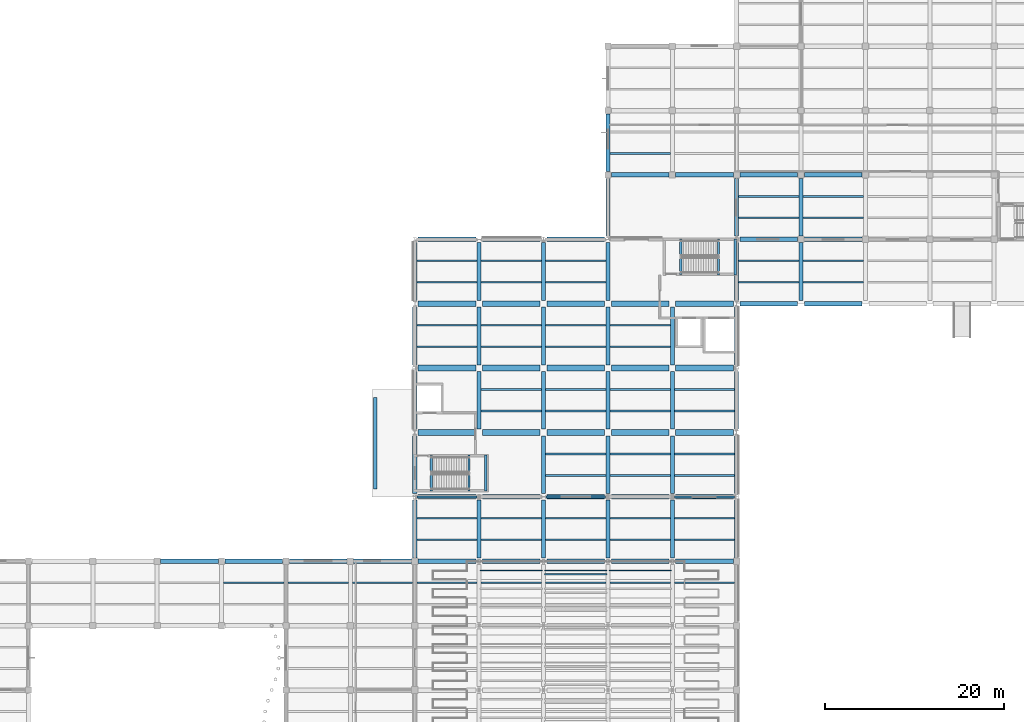
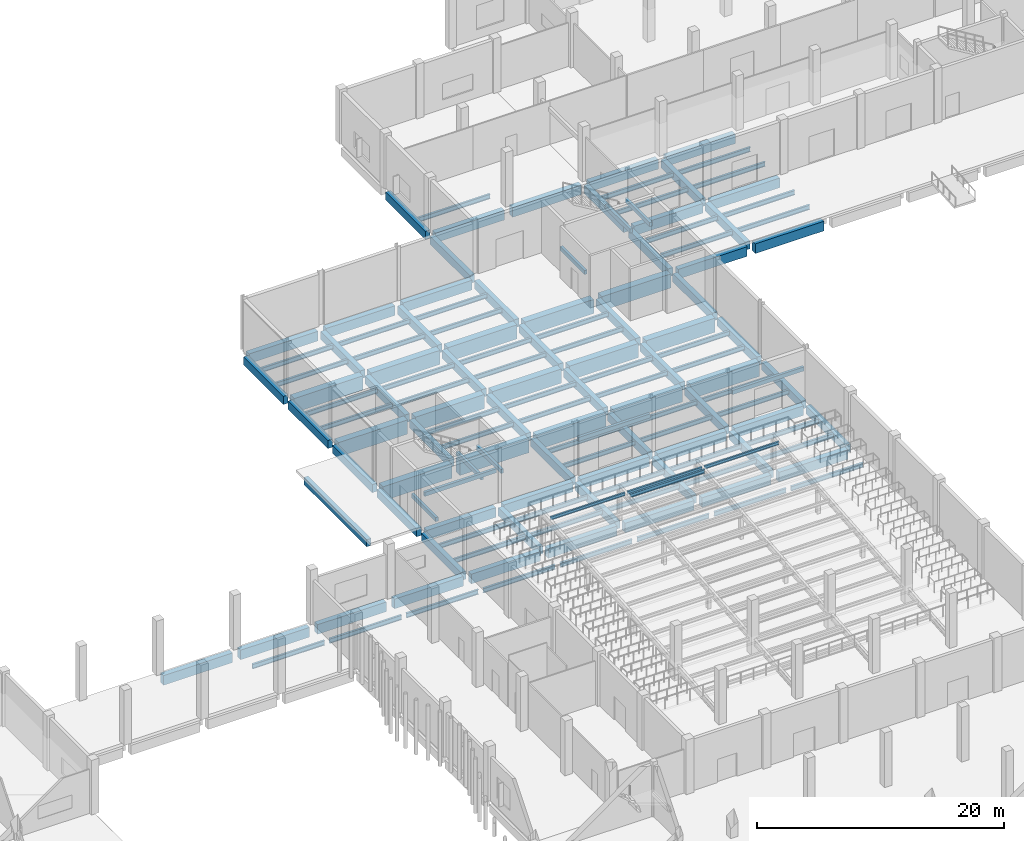
# One storey, part 18 of 46: 142 beams.
"""IFC4 building model written with IfcOpenShell, lengths in metres."""

from ifc_helpers import new_model, si_unit, direction, frame, origin, origin_2d, place, context, subcontext, project, spatial, rectangle, i_section, extrude, material, material_profile, profile_set, type_object, element, save


model = new_model("IFC4")

# Units and contexts
model_context = context("Model", 3, precision=1e-05, world=origin(), true_north=direction((0.0, 1.0)))
body_context = subcontext(model_context, "Body", "Model", "MODEL_VIEW")
ifc_project = project(units=[si_unit("LENGTHUNIT", "METRE"), si_unit("AREAUNIT", "SQUARE_METRE"), si_unit("VOLUMEUNIT", "CUBIC_METRE"), si_unit("PLANEANGLEUNIT", "RADIAN"), si_unit("MASSUNIT", "GRAM", prefix="KILO"), si_unit("THERMODYNAMICTEMPERATUREUNIT", "KELVIN"), si_unit("POWERUNIT", "WATT")], contexts=[model_context])

# Site, building, storey
site_placement = place(None, origin())
site = spatial("IfcSite", under=ifc_project, at=site_placement, CompositionType="ELEMENT")
building_placement = place(site_placement, origin())
building = spatial("IfcBuilding", under=site, at=building_placement, Name="Kaldorven Railside Theatre", CompositionType="ELEMENT")
storey_placement = place(building_placement, origin())
storey = spatial("IfcBuildingStorey", under=building, at=storey_placement, Name="L00", CompositionType="ELEMENT", Elevation=0.0)

# Beams
ifc_material_1 = material(Name="Steel S355", Category="steel")
ifc_material_profile_1 = material_profile(ifc_material_1, i_section(OverallWidth=0.14990234375, OverallDepth=0.300048828125, WebThickness=0.007080078125, FlangeThickness=0.0107421875, at=origin_2d()), Name="IPE 300")
ifc_profile_set_1 = profile_set([ifc_material_profile_1], Name="Steel S355")
beam_type_1 = type_object("IfcBeamType", Name="BM-IPE300", PredefinedType="JOIST", material=ifc_profile_set_1)
for number, where, z_axis, x_axis, name in (
    (1, (94.510009765625, 75.76953125, 3.239990234375), (1.0, 0.0, 0.0), (0.0, 1.0, 0.0), "Seating Tier Transverse Bearer TBR-V1S-141"),
    (2, (101.7099609375, 75.76953125, 3.239990234375), (1.0, 0.0, 0.0), (0.0, 1.0, 0.0), "Seating Tier Transverse Bearer TBR-V1S-142"),
    (3, (108.909912109375, 75.76953125, 3.239990234375), (1.0, 0.0, 0.0), (0.0, 1.0, 0.0), "Seating Tier Transverse Bearer TBR-V1S-143"),
):
    element("IfcBeam", number, at=place(storey_placement, frame(where, z_axis=z_axis, x_axis=x_axis)), inside=storey, type_object=beam_type_1, Name=name, PredefinedType="JOIST", context=body_context, shape_type="SweptSolid", body=[
        extrude(i_section(OverallWidth=0.14990234375, OverallDepth=0.300048828125, WebThickness=0.007080078125, FlangeThickness=0.0107421875, at=origin_2d()), origin(), (0.0, 0.0, 1.0), 6.97998046875),
    ])
ifc_material_profile_2 = material_profile(ifc_material_1, i_section(OverallWidth=0.169921875, OverallDepth=0.360107421875, WebThickness=0.008056640625, FlangeThickness=0.0126953125, at=origin_2d()), Name="IPE 360")
ifc_profile_set_2 = profile_set([ifc_material_profile_2], Name="Steel S355")
beam_type_2 = type_object("IfcBeamType", Name="BM-IPE360", PredefinedType="JOIST", material=ifc_profile_set_2)
beam_1_placement = place(storey_placement, frame((101.7099609375, 75.358154296875, 3.2099609375), z_axis=(1.0, 0.0, 0.0), x_axis=(0.0, 1.0, 0.0)))
element("IfcBeam", 4, at=beam_1_placement, inside=storey, type_object=beam_type_2, Name="Seating Tier Front Step Bearer TBF-V1S-14", PredefinedType="JOIST", context=body_context, shape_type="SweptSolid", body=[
    extrude(i_section(OverallWidth=0.169921875, OverallDepth=0.360107421875, WebThickness=0.008056640625, FlangeThickness=0.0126953125, at=origin_2d()), origin(), (0.0, 0.0, 1.0), 6.97998046875),
])
ifc_material_profile_3 = material_profile(ifc_material_1, i_section(OverallWidth=0.18994140625, OverallDepth=0.449951171875, WebThickness=0.009521484375, FlangeThickness=0.0146484375, at=origin_2d()), Name="IPE 450")
ifc_profile_set_3 = profile_set([ifc_material_profile_3], Name="Steel S355")
beam_type_3 = type_object("IfcBeamType", Name="BM-IPE450", PredefinedType="JOIST", material=ifc_profile_set_3)
for number, where, z_axis, x_axis, name in (
    (5, (65.824951171875, 74.39990234375, -0.52490234375), (1.0, 0.0, 0.0), (0.0, 1.0, 0.0), "L00 Secondary Floor Joist JG-L00-065-0744"),
    (6, (73.02490234375, 74.39990234375, -0.52490234375), (1.0, 0.0, 0.0), (0.0, 1.0, 0.0), "L00 Secondary Floor Joist JG-L00-072-0744"),
    (7, (80.22509765625, 74.39990234375, -0.52490234375), (1.0, 0.0, 0.0), (0.0, 1.0, 0.0), "L00 Secondary Floor Joist JG-L00-080-0744"),
    (8, (87.425048828125, 74.39990234375, -0.574951171875), (1.0, 0.0, 0.0), (0.0, 1.0, 0.0), "L00 Secondary Floor Joist JG-L00-087-0744"),
    (9, (94.625, 74.39990234375, -0.574951171875), (1.0, 0.0, 0.0), (0.0, 1.0, 0.0), "L00 Secondary Floor Joist JG-L00-094-0744"),
    (10, (101.824951171875, 74.39990234375, -0.574951171875), (1.0, 0.0, 0.0), (0.0, 1.0, 0.0), "L00 Secondary Floor Joist JG-L00-101-0744"),
    (11, (109.02490234375, 74.39990234375, -0.574951171875), (1.0, 0.0, 0.0), (0.0, 1.0, 0.0), "L00 Secondary Floor Joist JG-L00-108-0744"),
    (12, (116.22509765625, 74.39990234375, -0.574951171875), (1.0, 0.0, 0.0), (0.0, 1.0, 0.0), "L00 Secondary Floor Joist JG-L00-116-0744"),
    (13, (87.425048828125, 79.199951171875, -0.574951171875), (1.0, 0.0, 0.0), (0.0, 1.0, 0.0), "L00 Secondary Floor Joist JG-L00-087-0792"),
    (14, (87.425048828125, 81.60009765625, -0.574951171875), (1.0, 0.0, 0.0), (0.0, 1.0, 0.0), "L00 Secondary Floor Joist JG-L00-087-0816"),
    (15, (94.625, 79.199951171875, -0.574951171875), (1.0, 0.0, 0.0), (0.0, 1.0, 0.0), "L00 Secondary Floor Joist JG-L00-094-0792"),
    (16, (94.625, 81.60009765625, -0.574951171875), (1.0, 0.0, 0.0), (0.0, 1.0, 0.0), "L00 Secondary Floor Joist JG-L00-094-0816"),
    (17, (101.824951171875, 79.199951171875, -0.574951171875), (1.0, 0.0, 0.0), (0.0, 1.0, 0.0), "L00 Secondary Floor Joist JG-L00-101-0792"),
    (18, (101.824951171875, 81.60009765625, -0.574951171875), (1.0, 0.0, 0.0), (0.0, 1.0, 0.0), "L00 Secondary Floor Joist JG-L00-101-0816"),
    (19, (109.02490234375, 79.199951171875, -0.574951171875), (1.0, 0.0, 0.0), (0.0, 1.0, 0.0), "L00 Secondary Floor Joist JG-L00-108-0792"),
    (20, (109.02490234375, 81.60009765625, -0.574951171875), (1.0, 0.0, 0.0), (0.0, 1.0, 0.0), "L00 Secondary Floor Joist JG-L00-108-0816"),
    (21, (116.22509765625, 79.199951171875, -0.574951171875), (1.0, 0.0, 0.0), (0.0, 1.0, 0.0), "L00 Secondary Floor Joist JG-L00-116-0792"),
    (22, (116.22509765625, 81.60009765625, -0.574951171875), (1.0, 0.0, 0.0), (0.0, 1.0, 0.0), "L00 Secondary Floor Joist JG-L00-116-0816"),
    (23, (101.824951171875, 86.39990234375, -0.60498046875), (1.0, 0.0, 0.0), (0.0, 1.0, 0.0), "L00 Secondary Floor Joist JG-L00-101-0864"),
    (24, (101.824951171875, 88.800048828125, -0.60498046875), (1.0, 0.0, 0.0), (0.0, 1.0, 0.0), "L00 Secondary Floor Joist JG-L00-101-0888"),
    (25, (109.02490234375, 86.39990234375, -0.60498046875), (1.0, 0.0, 0.0), (0.0, 1.0, 0.0), "L00 Secondary Floor Joist JG-L00-108-0864"),
    (26, (109.02490234375, 88.800048828125, -0.60498046875), (1.0, 0.0, 0.0), (0.0, 1.0, 0.0), "L00 Secondary Floor Joist JG-L00-108-0888"),
    (27, (116.22509765625, 86.39990234375, -0.60498046875), (1.0, 0.0, 0.0), (0.0, 1.0, 0.0), "L00 Secondary Floor Joist JG-L00-116-0864"),
    (28, (116.22509765625, 88.800048828125, -0.60498046875), (1.0, 0.0, 0.0), (0.0, 1.0, 0.0), "L00 Secondary Floor Joist JG-L00-116-0888"),
    (29, (94.625, 93.60009765625, -0.60498046875), (1.0, 0.0, 0.0), (0.0, 1.0, 0.0), "L00 Secondary Floor Joist JG-L00-094-0936"),
    (30, (94.625, 96.0, -0.60498046875), (1.0, 0.0, 0.0), (0.0, 1.0, 0.0), "L00 Secondary Floor Joist JG-L00-094-0960"),
    (31, (101.824951171875, 93.60009765625, -0.60498046875), (1.0, 0.0, 0.0), (0.0, 1.0, 0.0), "L00 Secondary Floor Joist JG-L00-101-0936"),
    (32, (101.824951171875, 96.0, -0.60498046875), (1.0, 0.0, 0.0), (0.0, 1.0, 0.0), "L00 Secondary Floor Joist JG-L00-101-0960"),
    (33, (109.02490234375, 93.60009765625, -0.60498046875), (1.0, 0.0, 0.0), (0.0, 1.0, 0.0), "L00 Secondary Floor Joist JG-L00-108-0936"),
    (34, (109.02490234375, 96.0, -0.60498046875), (1.0, 0.0, 0.0), (0.0, 1.0, 0.0), "L00 Secondary Floor Joist JG-L00-108-0960"),
    (35, (116.22509765625, 93.60009765625, -0.60498046875), (1.0, 0.0, 0.0), (0.0, 1.0, 0.0), "L00 Secondary Floor Joist JG-L00-116-0936"),
    (36, (116.22509765625, 96.0, -0.60498046875), (1.0, 0.0, 0.0), (0.0, 1.0, 0.0), "L00 Secondary Floor Joist JG-L00-116-0960"),
    (37, (87.425048828125, 100.800048828125, -0.60498046875), (1.0, 0.0, 0.0), (0.0, 1.0, 0.0), "L00 Secondary Floor Joist JG-L00-087-1008"),
    (38, (87.425048828125, 103.199951171875, -0.60498046875), (1.0, 0.0, 0.0), (0.0, 1.0, 0.0), "L00 Secondary Floor Joist JG-L00-087-1032"),
    (39, (94.625, 100.800048828125, -0.60498046875), (1.0, 0.0, 0.0), (0.0, 1.0, 0.0), "L00 Secondary Floor Joist JG-L00-094-1008"),
    (40, (94.625, 103.199951171875, -0.60498046875), (1.0, 0.0, 0.0), (0.0, 1.0, 0.0), "L00 Secondary Floor Joist JG-L00-094-1032"),
    (41, (101.824951171875, 100.800048828125, -0.60498046875), (1.0, 0.0, 0.0), (0.0, 1.0, 0.0), "L00 Secondary Floor Joist JG-L00-101-1008"),
    (42, (101.824951171875, 103.199951171875, -0.60498046875), (1.0, 0.0, 0.0), (0.0, 1.0, 0.0), "L00 Secondary Floor Joist JG-L00-101-1032"),
    (43, (109.02490234375, 100.800048828125, -0.60498046875), (1.0, 0.0, 0.0), (0.0, 1.0, 0.0), "L00 Secondary Floor Joist JG-L00-108-1008"),
    (44, (109.02490234375, 103.199951171875, -0.60498046875), (1.0, 0.0, 0.0), (0.0, 1.0, 0.0), "L00 Secondary Floor Joist JG-L00-108-1032"),
    (45, (87.425048828125, 108.0, -0.60498046875), (1.0, 0.0, 0.0), (0.0, 1.0, 0.0), "L00 Secondary Floor Joist JG-L00-087-1080"),
    (46, (87.425048828125, 110.39990234375, -0.60498046875), (1.0, 0.0, 0.0), (0.0, 1.0, 0.0), "L00 Secondary Floor Joist JG-L00-087-1104"),
    (47, (94.625, 108.0, -0.60498046875), (1.0, 0.0, 0.0), (0.0, 1.0, 0.0), "L00 Secondary Floor Joist JG-L00-094-1080"),
    (48, (94.625, 110.39990234375, -0.60498046875), (1.0, 0.0, 0.0), (0.0, 1.0, 0.0), "L00 Secondary Floor Joist JG-L00-094-1104"),
    (49, (101.824951171875, 108.0, -0.60498046875), (1.0, 0.0, 0.0), (0.0, 1.0, 0.0), "L00 Secondary Floor Joist JG-L00-101-1080"),
    (50, (101.824951171875, 110.39990234375, -0.60498046875), (1.0, 0.0, 0.0), (0.0, 1.0, 0.0), "L00 Secondary Floor Joist JG-L00-101-1104"),
    (51, (123.425048828125, 108.0, -0.47509765625), (1.0, 0.0, 0.0), (0.0, 1.0, 0.0), "L00 Secondary Floor Joist JG-L00-123-1080"),
    (52, (123.425048828125, 110.39990234375, -0.47509765625), (1.0, 0.0, 0.0), (0.0, 1.0, 0.0), "L00 Secondary Floor Joist JG-L00-123-1104"),
    (53, (130.625, 108.0, -0.47509765625), (1.0, 0.0, 0.0), (0.0, 1.0, 0.0), "L00 Secondary Floor Joist JG-L00-130-1080"),
    (54, (130.625, 110.39990234375, -0.47509765625), (1.0, 0.0, 0.0), (0.0, 1.0, 0.0), "L00 Secondary Floor Joist JG-L00-130-1104"),
    (55, (123.425048828125, 115.199951171875, -0.574951171875), (1.0, 0.0, 0.0), (0.0, 1.0, 0.0), "L00 Secondary Floor Joist JG-L00-123-1152"),
    (56, (123.425048828125, 117.60009765625, -0.574951171875), (1.0, 0.0, 0.0), (0.0, 1.0, 0.0), "L00 Secondary Floor Joist JG-L00-123-1176"),
    (57, (130.625, 115.199951171875, -0.574951171875), (1.0, 0.0, 0.0), (0.0, 1.0, 0.0), "L00 Secondary Floor Joist JG-L00-130-1152"),
    (58, (130.625, 117.60009765625, -0.574951171875), (1.0, 0.0, 0.0), (0.0, 1.0, 0.0), "L00 Secondary Floor Joist JG-L00-130-1176"),
    (59, (109.02490234375, 122.39990234375, -0.574951171875), (1.0, 0.0, 0.0), (0.0, 1.0, 0.0), "L00 Secondary Floor Joist JG-L00-108-1224"),
):
    element("IfcBeam", number, at=place(storey_placement, frame(where, z_axis=z_axis, x_axis=x_axis)), inside=storey, type_object=beam_type_3, Name=name, PredefinedType="JOIST", context=body_context, shape_type="SweptSolid", body=[
        extrude(i_section(OverallWidth=0.18994140625, OverallDepth=0.449951171875, WebThickness=0.009521484375, FlangeThickness=0.0146484375, at=origin_2d()), origin(), (0.0, 0.0, 1.0), 6.75),
    ])
ifc_material_2 = material(Name="Concrete C40/50", Category="concrete")
ifc_material_profile_4 = material_profile(ifc_material_2, rectangle(XDim=0.25, YDim=0.39990234375, at=origin_2d()), Name="RC 250x400")
ifc_profile_set_4 = profile_set([ifc_material_profile_4], Name="Concrete C40/50")
beam_type_4 = type_object("IfcBeamType", Name="BM-RC250x400", PredefinedType="LINTEL", material=ifc_profile_set_4)
beam_2_placement = place(storey_placement, frame((89.050048828125, 84.669921875, -0.344970703125), z_axis=(0.0, 1.0, 0.0), x_axis=(-1.0, 0.0, 0.0)))
element("IfcBeam", 60, at=beam_2_placement, inside=storey, type_object=beam_type_4, Name="Stair ST-05 L00 Landing Trimmer Beam", PredefinedType="LINTEL", context=body_context, shape_type="SweptSolid", body=[
    extrude(rectangle(XDim=0.25, YDim=0.39990234375, at=origin_2d()), origin(), (0.0, 0.0, 1.0), 3.9599609375),
])
for number, where, z_axis, x_axis, name in (
    (61, (93.27490234375, 84.639892578125, 2.300048828125), (0.0, 1.0, 0.0), (-1.0, 0.0, 0.0), "Stair ST-05 L00 Half-Landing Bearer"),
    (62, (95.1298828125, 84.639892578125, 2.300048828125), (0.0, 1.0, 0.0), (-1.0, 0.0, 0.0), "Stair ST-05 L00 Half-Landing Bearer"),
):
    element("IfcBeam", number, at=place(storey_placement, frame(where, z_axis=z_axis, x_axis=x_axis)), inside=storey, type_object=beam_type_4, Name=name, PredefinedType="LINTEL", context=body_context, shape_type="SweptSolid", body=[
        extrude(rectangle(XDim=0.25, YDim=0.39990234375, at=origin_2d()), origin(), (0.0, 0.0, 1.0), 4.02001953125),
    ])
beam_3_placement = place(storey_placement, frame((116.949951171875, 108.8701171875, -0.344970703125), z_axis=(0.0, 1.0, 0.0), x_axis=(-1.0, 0.0, 0.0)))
element("IfcBeam", 63, at=beam_3_placement, inside=storey, type_object=beam_type_4, Name="Stair ST-06 L00 Landing Trimmer Beam", PredefinedType="LINTEL", context=body_context, shape_type="SweptSolid", body=[
    extrude(rectangle(XDim=0.25, YDim=0.39990234375, at=origin_2d()), origin(), (0.0, 0.0, 1.0), 3.9599609375),
])
for number, where, z_axis, x_axis, name in (
    (64, (121.175048828125, 108.840087890625, 2.300048828125), (0.0, 1.0, 0.0), (-1.0, 0.0, 0.0), "Stair ST-06 L00 Half-Landing Bearer"),
    (65, (123.030029296875, 108.840087890625, 2.300048828125), (0.0, 1.0, 0.0), (-1.0, 0.0, 0.0), "Stair ST-06 L00 Half-Landing Bearer"),
):
    element("IfcBeam", number, at=place(storey_placement, frame(where, z_axis=z_axis, x_axis=x_axis)), inside=storey, type_object=beam_type_4, Name=name, PredefinedType="LINTEL", context=body_context, shape_type="SweptSolid", body=[
        extrude(rectangle(XDim=0.25, YDim=0.39990234375, at=origin_2d()), origin(), (0.0, 0.0, 1.0), 4.02001953125),
    ])
for number, where, z_axis, x_axis, name in (
    (66, (87.449951171875, 84.0, 3.14990234375), (1.0, 0.0, 0.0), (0.0, 1.0, 0.0), "Reinforced Concrete Opening Lintel LNT-02"),
    (67, (116.25, 84.0, 3.14990234375), (1.0, 0.0, 0.0), (0.0, 1.0, 0.0), "Reinforced Concrete Opening Lintel LNT-03"),
    (68, (101.85009765625, 84.0, 3.550048828125), (1.0, 0.0, 0.0), (0.0, 1.0, 0.0), "Reinforced Concrete Opening Lintel LNT-04"),
):
    element("IfcBeam", number, at=place(storey_placement, frame(where, z_axis=z_axis, x_axis=x_axis)), inside=storey, type_object=beam_type_4, Name=name, PredefinedType="LINTEL", context=body_context, shape_type="SweptSolid", body=[
        extrude(rectangle(XDim=0.25, YDim=0.39990234375, at=origin_2d()), origin(), (0.0, 0.0, 1.0), 6.699951171875),
    ])
ifc_material_profile_5 = material_profile(ifc_material_2, rectangle(XDim=0.39990234375, YDim=0.699951171875, at=origin_2d()), Name="RC 400x700")
ifc_profile_set_5 = profile_set([ifc_material_profile_5], Name="Concrete C40/50")
beam_type_5 = type_object("IfcBeamType", Name="BM-RC400x700", PredefinedType="BEAM", material=ifc_profile_set_5)
beam_4_placement = place(storey_placement, frame((82.800048828125, 84.89990234375, -0.60009765625), z_axis=(0.0, 1.0, 0.0), x_axis=(-1.0, 0.0, 0.0)))
element("IfcBeam", 69, at=beam_4_placement, inside=storey, type_object=beam_type_5, Name="West Stage Apron Edge Beam BWS-01", PredefinedType="BEAM", context=body_context, shape_type="SweptSolid", body=[
    extrude(rectangle(XDim=0.39990234375, YDim=0.699951171875, at=origin_2d()), origin(), (0.0, 0.0, 1.0), 10.2001953125),
])
ifc_material_profile_6 = material_profile(ifc_material_2, rectangle(XDim=0.449951171875, YDim=0.800048828125, at=origin_2d()), Name="RC 450x800")
ifc_profile_set_6 = profile_set([ifc_material_profile_6], Name="Concrete C40/50")
beam_type_6 = type_object("IfcBeamType", Name="BM-RC450x800", PredefinedType="BEAM", material=ifc_profile_set_6)
for number, where, z_axis, x_axis, name in (
    (70, (87.199951171875, 77.175048828125, -0.75), (0.0, 1.0, 0.0), (-1.0, 0.0, 0.0), "L00 Girder BGY-L00-087-076-72"),
    (71, (94.39990234375, 77.175048828125, -0.75), (0.0, 1.0, 0.0), (-1.0, 0.0, 0.0), "L00 Girder BGY-L00-094-076-72"),
    (72, (101.60009765625, 77.175048828125, -0.75), (0.0, 1.0, 0.0), (-1.0, 0.0, 0.0), "L00 Girder BGY-L00-101-076-72"),
    (73, (108.800048828125, 77.175048828125, -0.75), (0.0, 1.0, 0.0), (-1.0, 0.0, 0.0), "L00 Girder BGY-L00-108-076-72"),
    (74, (116.0, 77.175048828125, -0.75), (0.0, 1.0, 0.0), (-1.0, 0.0, 0.0), "L00 Girder BGY-L00-116-076-72"),
    (75, (123.199951171875, 77.175048828125, -0.75), (0.0, 1.0, 0.0), (-1.0, 0.0, 0.0), "L00 Girder BGY-L00-123-076-72"),
    (76, (87.199951171875, 84.375, -0.780029296875), (0.0, 1.0, 0.0), (-1.0, 0.0, 0.0), "L00 Girder BGY-L00-087-084-72"),
    (77, (101.60009765625, 84.375, -0.780029296875), (0.0, 1.0, 0.0), (-1.0, 0.0, 0.0), "L00 Girder BGY-L00-101-084-72"),
    (78, (108.800048828125, 84.375, -0.780029296875), (0.0, 1.0, 0.0), (-1.0, 0.0, 0.0), "L00 Girder BGY-L00-108-084-72"),
    (79, (116.0, 84.375, -0.780029296875), (0.0, 1.0, 0.0), (-1.0, 0.0, 0.0), "L00 Girder BGY-L00-116-084-72"),
    (80, (123.199951171875, 84.375, -0.780029296875), (0.0, 1.0, 0.0), (-1.0, 0.0, 0.0), "L00 Girder BGY-L00-123-084-72"),
    (81, (87.199951171875, 91.574951171875, -0.780029296875), (0.0, 1.0, 0.0), (-1.0, 0.0, 0.0), "L00 Girder BGY-L00-087-091-72"),
    (82, (94.39990234375, 91.574951171875, -0.780029296875), (0.0, 1.0, 0.0), (-1.0, 0.0, 0.0), "L00 Girder BGY-L00-094-091-72"),
    (83, (101.60009765625, 91.574951171875, -0.780029296875), (0.0, 1.0, 0.0), (-1.0, 0.0, 0.0), "L00 Girder BGY-L00-101-091-72"),
    (84, (108.800048828125, 91.574951171875, -0.780029296875), (0.0, 1.0, 0.0), (-1.0, 0.0, 0.0), "L00 Girder BGY-L00-108-091-72"),
    (85, (116.0, 91.574951171875, -0.780029296875), (0.0, 1.0, 0.0), (-1.0, 0.0, 0.0), "L00 Girder BGY-L00-116-091-72"),
    (86, (123.199951171875, 91.574951171875, -0.780029296875), (0.0, 1.0, 0.0), (-1.0, 0.0, 0.0), "L00 Girder BGY-L00-123-091-72"),
):
    element("IfcBeam", number, at=place(storey_placement, frame(where, z_axis=z_axis, x_axis=x_axis)), inside=storey, type_object=beam_type_6, Name=name, PredefinedType="BEAM", context=body_context, shape_type="SweptSolid", body=[
        extrude(rectangle(XDim=0.449951171875, YDim=0.800048828125, at=origin_2d()), origin(), (0.0, 0.0, 1.0), 6.449951171875),
    ])
for number, where, z_axis, x_axis, name in (
    (87, (87.199951171875, 98.77490234375, -0.780029296875), (0.0, 1.0, 0.0), (-1.0, 0.0, 0.0), "L00 Girder BGY-L00-087-098-72"),
    (88, (94.39990234375, 98.77490234375, -0.780029296875), (0.0, 1.0, 0.0), (-1.0, 0.0, 0.0), "L00 Girder BGY-L00-094-098-72"),
    (89, (101.60009765625, 98.77490234375, -0.780029296875), (0.0, 1.0, 0.0), (-1.0, 0.0, 0.0), "L00 Girder BGY-L00-101-098-72"),
    (90, (108.800048828125, 98.77490234375, -0.780029296875), (0.0, 1.0, 0.0), (-1.0, 0.0, 0.0), "L00 Girder BGY-L00-108-098-72"),
    (91, (116.0, 98.77490234375, -0.780029296875), (0.0, 1.0, 0.0), (-1.0, 0.0, 0.0), "L00 Girder BGY-L00-116-098-72"),
    (92, (123.199951171875, 98.77490234375, -0.780029296875), (0.0, 1.0, 0.0), (-1.0, 0.0, 0.0), "L00 Girder BGY-L00-123-098-72"),
):
    element("IfcBeam", number, at=place(storey_placement, frame(where, z_axis=z_axis, x_axis=x_axis)), inside=storey, type_object=beam_type_6, Name=name, PredefinedType="BEAM", context=body_context, shape_type="SweptSolid", body=[
        extrude(rectangle(XDim=0.449951171875, YDim=0.800048828125, at=origin_2d()), origin(), (0.0, 0.0, 1.0), 6.4501953125),
    ])
for number, where, z_axis, x_axis, name in (
    (93, (87.199951171875, 105.97509765625, -0.780029296875), (0.0, 1.0, 0.0), (-1.0, 0.0, 0.0), "L00 Girder BGY-L00-087-105-72"),
    (94, (94.39990234375, 105.97509765625, -0.780029296875), (0.0, 1.0, 0.0), (-1.0, 0.0, 0.0), "L00 Girder BGY-L00-094-105-72"),
    (95, (101.60009765625, 105.97509765625, -0.780029296875), (0.0, 1.0, 0.0), (-1.0, 0.0, 0.0), "L00 Girder BGY-L00-101-105-72"),
    (96, (108.800048828125, 105.97509765625, -0.780029296875), (0.0, 1.0, 0.0), (-1.0, 0.0, 0.0), "L00 Girder BGY-L00-108-105-72"),
    (97, (123.199951171875, 105.97509765625, -0.780029296875), (0.0, 1.0, 0.0), (-1.0, 0.0, 0.0), "L00 Girder BGY-L00-123-105-72"),
    (98, (130.39990234375, 105.97509765625, -0.64990234375), (0.0, 1.0, 0.0), (-1.0, 0.0, 0.0), "L00 Girder BGY-L00-130-105-72"),
    (99, (108.800048828125, 113.175048828125, -0.75), (0.0, 1.0, 0.0), (-1.0, 0.0, 0.0), "L00 Girder BGY-L00-108-112-72"),
    (100, (123.199951171875, 113.175048828125, -0.75), (0.0, 1.0, 0.0), (-1.0, 0.0, 0.0), "L00 Girder BGY-L00-123-112-72"),
    (101, (130.39990234375, 113.175048828125, -0.75), (0.0, 1.0, 0.0), (-1.0, 0.0, 0.0), "L00 Girder BGY-L00-130-112-72"),
    (102, (108.800048828125, 120.375, -0.75), (0.0, 1.0, 0.0), (-1.0, 0.0, 0.0), "L00 Girder BGY-L00-108-120-72"),
):
    element("IfcBeam", number, at=place(storey_placement, frame(where, z_axis=z_axis, x_axis=x_axis)), inside=storey, type_object=beam_type_6, Name=name, PredefinedType="BEAM", context=body_context, shape_type="SweptSolid", body=[
        extrude(rectangle(XDim=0.449951171875, YDim=0.800048828125, at=origin_2d()), origin(), (0.0, 0.0, 1.0), 6.449951171875),
    ])
ifc_material_profile_7 = material_profile(ifc_material_2, rectangle(XDim=0.5, YDim=0.949951171875, at=origin_2d()), Name="RC 500x950")
ifc_profile_set_7 = profile_set([ifc_material_profile_7], Name="Concrete C40/50")
beam_type_7 = type_object("IfcBeamType", Name="BM-RC500x950", PredefinedType="BEAM", material=ifc_profile_set_7)
beam_5_placement = place(storey_placement, frame((58.77490234375, 76.800048828125, -0.77490234375), z_axis=(1.0, 0.0, 0.0), x_axis=(0.0, 1.0, 0.0)))
element("IfcBeam", 103, at=beam_5_placement, inside=storey, type_object=beam_type_7, Name="L00 Girder BGX-L00-058-076", PredefinedType="BEAM", context=body_context, shape_type="SweptSolid", body=[
    extrude(rectangle(XDim=0.5, YDim=0.949951171875, at=origin_2d()), origin(), (0.0, 0.0, 1.0), 6.4501953125),
])
for number, where, z_axis, x_axis, name in (
    (104, (65.97509765625, 76.800048828125, -0.77490234375), (1.0, 0.0, 0.0), (0.0, 1.0, 0.0), "L00 Girder BGX-L00-065-076"),
    (105, (73.175048828125, 76.800048828125, -0.77490234375), (1.0, 0.0, 0.0), (0.0, 1.0, 0.0), "L00 Girder BGX-L00-072-076"),
    (106, (80.375, 76.800048828125, -0.77490234375), (1.0, 0.0, 0.0), (0.0, 1.0, 0.0), "L00 Girder BGX-L00-080-076"),
    (107, (87.574951171875, 76.800048828125, -0.824951171875), (1.0, 0.0, 0.0), (0.0, 1.0, 0.0), "L00 Girder BGX-L00-087-076"),
):
    element("IfcBeam", number, at=place(storey_placement, frame(where, z_axis=z_axis, x_axis=x_axis)), inside=storey, type_object=beam_type_7, Name=name, PredefinedType="BEAM", context=body_context, shape_type="SweptSolid", body=[
        extrude(rectangle(XDim=0.5, YDim=0.949951171875, at=origin_2d()), origin(), (0.0, 0.0, 1.0), 6.449951171875),
    ])
beam_6_placement = place(storey_placement, frame((94.77490234375, 76.800048828125, -0.824951171875), z_axis=(1.0, 0.0, 0.0), x_axis=(0.0, 1.0, 0.0)))
element("IfcBeam", 108, at=beam_6_placement, inside=storey, type_object=beam_type_7, Name="L00 Girder BGX-L00-094-076", PredefinedType="BEAM", context=body_context, shape_type="SweptSolid", body=[
    extrude(rectangle(XDim=0.5, YDim=0.949951171875, at=origin_2d()), origin(), (0.0, 0.0, 1.0), 6.4501953125),
])
for number, where, z_axis, x_axis, name in (
    (109, (101.97509765625, 76.800048828125, -0.824951171875), (1.0, 0.0, 0.0), (0.0, 1.0, 0.0), "L00 Girder BGX-L00-101-076"),
    (110, (109.175048828125, 76.800048828125, -0.824951171875), (1.0, 0.0, 0.0), (0.0, 1.0, 0.0), "L00 Girder BGX-L00-108-076"),
    (111, (116.375, 76.800048828125, -0.824951171875), (1.0, 0.0, 0.0), (0.0, 1.0, 0.0), "L00 Girder BGX-L00-116-076"),
    (112, (87.574951171875, 84.0, -0.85498046875), (1.0, 0.0, 0.0), (0.0, 1.0, 0.0), "L00 Girder BGX-L00-087-084"),
):
    element("IfcBeam", number, at=place(storey_placement, frame(where, z_axis=z_axis, x_axis=x_axis)), inside=storey, type_object=beam_type_7, Name=name, PredefinedType="BEAM", context=body_context, shape_type="SweptSolid", body=[
        extrude(rectangle(XDim=0.5, YDim=0.949951171875, at=origin_2d()), origin(), (0.0, 0.0, 1.0), 6.449951171875),
    ])
beam_7_placement = place(storey_placement, frame((94.77490234375, 84.0, -0.85498046875), z_axis=(1.0, 0.0, 0.0), x_axis=(0.0, 1.0, 0.0)))
element("IfcBeam", 113, at=beam_7_placement, inside=storey, type_object=beam_type_7, Name="L00 Girder BGX-L00-094-084", PredefinedType="BEAM", context=body_context, shape_type="SweptSolid", body=[
    extrude(rectangle(XDim=0.5, YDim=0.949951171875, at=origin_2d()), origin(), (0.0, 0.0, 1.0), 6.4501953125),
])
for number, where, z_axis, x_axis, name in (
    (114, (101.97509765625, 84.0, -0.85498046875), (1.0, 0.0, 0.0), (0.0, 1.0, 0.0), "L00 Girder BGX-L00-101-084"),
    (115, (109.175048828125, 84.0, -0.85498046875), (1.0, 0.0, 0.0), (0.0, 1.0, 0.0), "L00 Girder BGX-L00-108-084"),
    (116, (116.375, 84.0, -0.85498046875), (1.0, 0.0, 0.0), (0.0, 1.0, 0.0), "L00 Girder BGX-L00-116-084"),
    (117, (123.574951171875, 105.60009765625, -0.72509765625), (1.0, 0.0, 0.0), (0.0, 1.0, 0.0), "L00 Girder BGX-L00-123-105"),
):
    element("IfcBeam", number, at=place(storey_placement, frame(where, z_axis=z_axis, x_axis=x_axis)), inside=storey, type_object=beam_type_7, Name=name, PredefinedType="BEAM", context=body_context, shape_type="SweptSolid", body=[
        extrude(rectangle(XDim=0.5, YDim=0.949951171875, at=origin_2d()), origin(), (0.0, 0.0, 1.0), 6.449951171875),
    ])
beam_8_placement = place(storey_placement, frame((130.77490234375, 105.60009765625, -0.72509765625), z_axis=(1.0, 0.0, 0.0), x_axis=(0.0, 1.0, 0.0)))
element("IfcBeam", 118, at=beam_8_placement, inside=storey, type_object=beam_type_7, Name="L00 Girder BGX-L00-130-105", PredefinedType="BEAM", context=body_context, shape_type="SweptSolid", body=[
    extrude(rectangle(XDim=0.5, YDim=0.949951171875, at=origin_2d()), origin(), (0.0, 0.0, 1.0), 6.4501953125),
])
beam_9_placement = place(storey_placement, frame((87.574951171875, 112.800048828125, -0.85498046875), z_axis=(1.0, 0.0, 0.0), x_axis=(0.0, 1.0, 0.0)))
element("IfcBeam", 119, at=beam_9_placement, inside=storey, type_object=beam_type_7, Name="L00 Girder BGX-L00-087-112", PredefinedType="BEAM", context=body_context, shape_type="SweptSolid", body=[
    extrude(rectangle(XDim=0.5, YDim=0.949951171875, at=origin_2d()), origin(), (0.0, 0.0, 1.0), 6.449951171875),
])
beam_10_placement = place(storey_placement, frame((94.77490234375, 112.800048828125, -0.85498046875), z_axis=(1.0, 0.0, 0.0), x_axis=(0.0, 1.0, 0.0)))
element("IfcBeam", 120, at=beam_10_placement, inside=storey, type_object=beam_type_7, Name="L00 Girder BGX-L00-094-112", PredefinedType="BEAM", context=body_context, shape_type="SweptSolid", body=[
    extrude(rectangle(XDim=0.5, YDim=0.949951171875, at=origin_2d()), origin(), (0.0, 0.0, 1.0), 6.4501953125),
])
for number, where, z_axis, x_axis, name in (
    (121, (101.97509765625, 112.800048828125, -0.85498046875), (1.0, 0.0, 0.0), (0.0, 1.0, 0.0), "L00 Girder BGX-L00-101-112"),
    (122, (123.574951171875, 112.800048828125, -0.824951171875), (1.0, 0.0, 0.0), (0.0, 1.0, 0.0), "L00 Girder BGX-L00-123-112"),
):
    element("IfcBeam", number, at=place(storey_placement, frame(where, z_axis=z_axis, x_axis=x_axis)), inside=storey, type_object=beam_type_7, Name=name, PredefinedType="BEAM", context=body_context, shape_type="SweptSolid", body=[
        extrude(rectangle(XDim=0.5, YDim=0.949951171875, at=origin_2d()), origin(), (0.0, 0.0, 1.0), 6.449951171875),
    ])
beam_11_placement = place(storey_placement, frame((130.77490234375, 112.800048828125, -0.824951171875), z_axis=(1.0, 0.0, 0.0), x_axis=(0.0, 1.0, 0.0)))
element("IfcBeam", 123, at=beam_11_placement, inside=storey, type_object=beam_type_7, Name="L00 Girder BGX-L00-130-112", PredefinedType="BEAM", context=body_context, shape_type="SweptSolid", body=[
    extrude(rectangle(XDim=0.5, YDim=0.949951171875, at=origin_2d()), origin(), (0.0, 0.0, 1.0), 6.4501953125),
])
for number, where, z_axis, x_axis, name in (
    (124, (109.175048828125, 120.0, -0.824951171875), (1.0, 0.0, 0.0), (0.0, 1.0, 0.0), "L00 Girder BGX-L00-108-120"),
    (125, (116.375, 120.0, -0.824951171875), (1.0, 0.0, 0.0), (0.0, 1.0, 0.0), "L00 Girder BGX-L00-116-120"),
    (126, (123.574951171875, 120.0, -0.824951171875), (1.0, 0.0, 0.0), (0.0, 1.0, 0.0), "L00 Girder BGX-L00-123-120"),
):
    element("IfcBeam", number, at=place(storey_placement, frame(where, z_axis=z_axis, x_axis=x_axis)), inside=storey, type_object=beam_type_7, Name=name, PredefinedType="BEAM", context=body_context, shape_type="SweptSolid", body=[
        extrude(rectangle(XDim=0.5, YDim=0.949951171875, at=origin_2d()), origin(), (0.0, 0.0, 1.0), 6.449951171875),
    ])
beam_12_placement = place(storey_placement, frame((130.77490234375, 120.0, -0.824951171875), z_axis=(1.0, 0.0, 0.0), x_axis=(0.0, 1.0, 0.0)))
element("IfcBeam", 127, at=beam_12_placement, inside=storey, type_object=beam_type_7, Name="L00 Girder BGX-L00-130-120", PredefinedType="BEAM", context=body_context, shape_type="SweptSolid", body=[
    extrude(rectangle(XDim=0.5, YDim=0.949951171875, at=origin_2d()), origin(), (0.0, 0.0, 1.0), 6.4501953125),
])
ifc_material_profile_8 = material_profile(ifc_material_2, rectangle(XDim=0.64990234375, YDim=1.39990234375, at=origin_2d()), Name="RC 650x1400")
ifc_profile_set_8 = profile_set([ifc_material_profile_8], Name="Concrete C40/50")
beam_type_8 = type_object("IfcBeamType", Name="BM-RC650x1400", PredefinedType="BEAM", material=ifc_profile_set_8)
beam_13_placement = place(storey_placement, frame((87.574951171875, 91.199951171875, -1.080078125), z_axis=(1.0, 0.0, 0.0), x_axis=(0.0, 1.0, 0.0)))
element("IfcBeam", 128, at=beam_13_placement, inside=storey, type_object=beam_type_8, Name="L00 Girder BGX-L00-087-091", PredefinedType="BEAM", context=body_context, shape_type="SweptSolid", body=[
    extrude(rectangle(XDim=0.64990234375, YDim=1.39990234375, at=origin_2d()), origin(), (0.0, 0.0, 1.0), 6.449951171875),
])
beam_14_placement = place(storey_placement, frame((94.77490234375, 91.199951171875, -1.080078125), z_axis=(1.0, 0.0, 0.0), x_axis=(0.0, 1.0, 0.0)))
element("IfcBeam", 129, at=beam_14_placement, inside=storey, type_object=beam_type_8, Name="L00 Girder BGX-L00-094-091", PredefinedType="BEAM", context=body_context, shape_type="SweptSolid", body=[
    extrude(rectangle(XDim=0.64990234375, YDim=1.39990234375, at=origin_2d()), origin(), (0.0, 0.0, 1.0), 6.4501953125),
])
for number, where, z_axis, x_axis, name in (
    (130, (101.97509765625, 91.199951171875, -1.080078125), (1.0, 0.0, 0.0), (0.0, 1.0, 0.0), "L00 Girder BGX-L00-101-091"),
    (131, (109.175048828125, 91.199951171875, -1.080078125), (1.0, 0.0, 0.0), (0.0, 1.0, 0.0), "L00 Girder BGX-L00-108-091"),
    (132, (116.375, 91.199951171875, -1.080078125), (1.0, 0.0, 0.0), (0.0, 1.0, 0.0), "L00 Girder BGX-L00-116-091"),
    (133, (87.574951171875, 98.39990234375, -1.080078125), (1.0, 0.0, 0.0), (0.0, 1.0, 0.0), "L00 Girder BGX-L00-087-098"),
):
    element("IfcBeam", number, at=place(storey_placement, frame(where, z_axis=z_axis, x_axis=x_axis)), inside=storey, type_object=beam_type_8, Name=name, PredefinedType="BEAM", context=body_context, shape_type="SweptSolid", body=[
        extrude(rectangle(XDim=0.64990234375, YDim=1.39990234375, at=origin_2d()), origin(), (0.0, 0.0, 1.0), 6.449951171875),
    ])
beam_15_placement = place(storey_placement, frame((94.77490234375, 98.39990234375, -1.080078125), z_axis=(1.0, 0.0, 0.0), x_axis=(0.0, 1.0, 0.0)))
element("IfcBeam", 134, at=beam_15_placement, inside=storey, type_object=beam_type_8, Name="L00 Girder BGX-L00-094-098", PredefinedType="BEAM", context=body_context, shape_type="SweptSolid", body=[
    extrude(rectangle(XDim=0.64990234375, YDim=1.39990234375, at=origin_2d()), origin(), (0.0, 0.0, 1.0), 6.4501953125),
])
for number, where, z_axis, x_axis, name in (
    (135, (101.97509765625, 98.39990234375, -1.080078125), (1.0, 0.0, 0.0), (0.0, 1.0, 0.0), "L00 Girder BGX-L00-101-098"),
    (136, (109.175048828125, 98.39990234375, -1.080078125), (1.0, 0.0, 0.0), (0.0, 1.0, 0.0), "L00 Girder BGX-L00-108-098"),
    (137, (116.375, 98.39990234375, -1.080078125), (1.0, 0.0, 0.0), (0.0, 1.0, 0.0), "L00 Girder BGX-L00-116-098"),
    (138, (87.574951171875, 105.60009765625, -1.080078125), (1.0, 0.0, 0.0), (0.0, 1.0, 0.0), "L00 Girder BGX-L00-087-105"),
):
    element("IfcBeam", number, at=place(storey_placement, frame(where, z_axis=z_axis, x_axis=x_axis)), inside=storey, type_object=beam_type_8, Name=name, PredefinedType="BEAM", context=body_context, shape_type="SweptSolid", body=[
        extrude(rectangle(XDim=0.64990234375, YDim=1.39990234375, at=origin_2d()), origin(), (0.0, 0.0, 1.0), 6.449951171875),
    ])
beam_16_placement = place(storey_placement, frame((94.77490234375, 105.60009765625, -1.080078125), z_axis=(1.0, 0.0, 0.0), x_axis=(0.0, 1.0, 0.0)))
element("IfcBeam", 139, at=beam_16_placement, inside=storey, type_object=beam_type_8, Name="L00 Girder BGX-L00-094-105", PredefinedType="BEAM", context=body_context, shape_type="SweptSolid", body=[
    extrude(rectangle(XDim=0.64990234375, YDim=1.39990234375, at=origin_2d()), origin(), (0.0, 0.0, 1.0), 6.4501953125),
])
for number, where, z_axis, x_axis, name in (
    (140, (101.97509765625, 105.60009765625, -1.080078125), (1.0, 0.0, 0.0), (0.0, 1.0, 0.0), "L00 Girder BGX-L00-101-105"),
    (141, (109.175048828125, 105.60009765625, -1.080078125), (1.0, 0.0, 0.0), (0.0, 1.0, 0.0), "L00 Girder BGX-L00-108-105"),
    (142, (116.375, 105.60009765625, -1.080078125), (1.0, 0.0, 0.0), (0.0, 1.0, 0.0), "L00 Girder BGX-L00-116-105"),
):
    element("IfcBeam", number, at=place(storey_placement, frame(where, z_axis=z_axis, x_axis=x_axis)), inside=storey, type_object=beam_type_8, Name=name, PredefinedType="BEAM", context=body_context, shape_type="SweptSolid", body=[
        extrude(rectangle(XDim=0.64990234375, YDim=1.39990234375, at=origin_2d()), origin(), (0.0, 0.0, 1.0), 6.449951171875),
    ])

save(model, "model.ifc")
